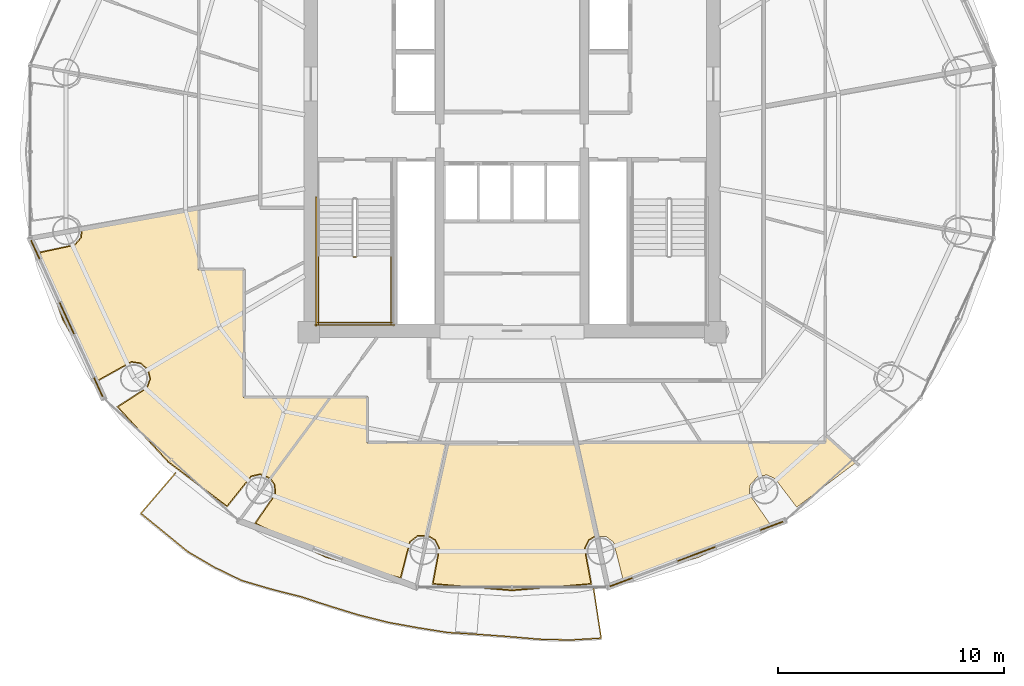
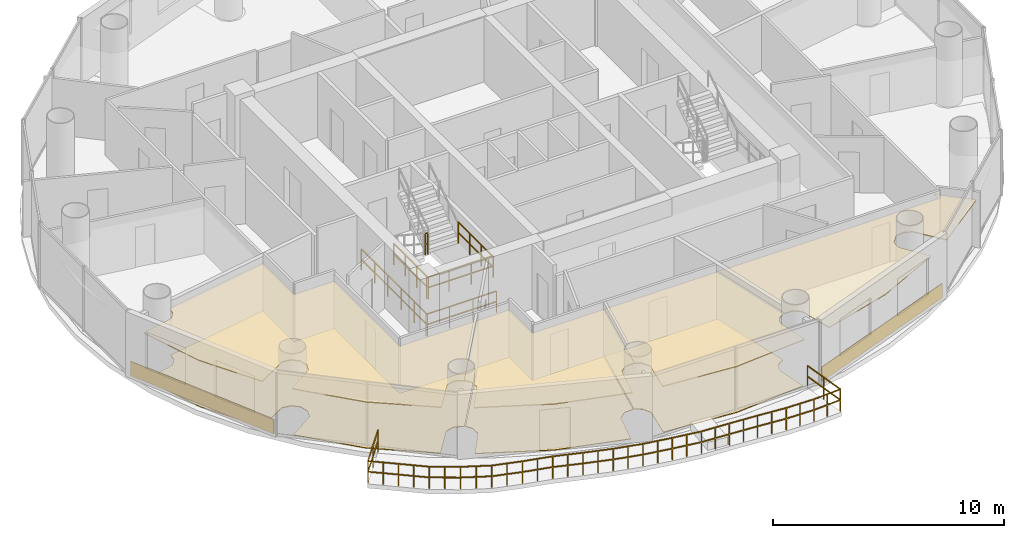
# One storey, part 24 of 27: 9 coverings, 7 railings.
"""IFC4 building model written with IfcOpenShell, lengths in metres."""

from ifc_helpers import new_model, si_unit, direction, frame, origin, origin_2d, place, context, subcontext, project, spatial, polyline, rectangle, outline, extrude, source, transform, mapped, material, layer, layer_set, type_object, element, save


model = new_model("IFC4")

# Units and contexts
model_context = context("Model", 3, precision=1e-05, world=origin(), true_north=direction((-0.2419218956, 0.970295726276)))
body_context = subcontext(model_context, "Body", "Model", "MODEL_VIEW")
ifc_project = project(units=[si_unit("LENGTHUNIT", "METRE"), si_unit("AREAUNIT", "SQUARE_METRE"), si_unit("VOLUMEUNIT", "CUBIC_METRE"), si_unit("PLANEANGLEUNIT", "RADIAN"), si_unit("MASSUNIT", "GRAM", prefix="KILO")], contexts=[model_context])

# Site, building, storey
site_placement = place(None, origin())
site = spatial("IfcSite", under=ifc_project, at=site_placement, CompositionType="ELEMENT")
building_placement = place(site_placement, origin())
building = spatial("IfcBuilding", under=site, at=building_placement, Name="Cobrevalo Terracotta Tower", CompositionType="ELEMENT")
storey_placement = place(building_placement, frame((0.0, 0.0, 194.89990234375)))
storey = spatial("IfcBuildingStorey", under=building, at=storey_placement, Name="L51", CompositionType="ELEMENT", Elevation=194.89990234375)

# Railing
ifc_material_1 = material(Name="Laminated structural glass and stainless steel", Category="steel")
railing_type_1 = type_object("IfcRailingType", Name="Balcony lobe structural glass & terracotta-cap balustrade 1180 mm", PredefinedType="BALUSTRADE", material=ifc_material_1)
railing_1_placement = place(storey_placement, frame((23.098876953125, 12.57666015625, 0.0)))
element("IfcRailing", 1, at=railing_1_placement, inside=storey, type_object=railing_type_1, Name="L51 spiralling balcony lobe balustrade 2", PredefinedType="BALUSTRADE", context=body_context, shape_type="SweptSolid", body=[
    extrude(rectangle(XDim=0.048095703125, YDim=0.048095703125, at=origin_2d()), frame((0.0, 0.0, 1.15576171875), z_axis=(-0.650342050538, -0.759641505779, 0.0), x_axis=(0.759641505779, -0.650342050538, 0.0)), (0.0, 0.0, 1.0), 2.3720703125),
    extrude(rectangle(XDim=0.048095703125, YDim=0.048095703125, at=origin_2d()), frame((0.0, 0.0, 0.58984375), z_axis=(-0.650342050538, -0.759641505779, 0.0), x_axis=(0.759641505779, -0.650342050538, 0.0)), (0.0, 0.0, 1.0), 2.3720703125),
    extrude(rectangle(XDim=0.048095703125, YDim=0.048095703125, at=origin_2d()), frame((-1.542724609375, -1.802001953125, 1.15576171875), z_axis=(0.775952208362, -0.630791701228, 0.0), x_axis=(0.630791701228, 0.775952208362, 0.0)), (0.0, 0.0, 1.0), 1.3388671875),
    extrude(rectangle(XDim=0.048095703125, YDim=0.048095703125, at=origin_2d()), frame((-1.542724609375, -1.802001953125, 0.58984375), z_axis=(0.775952208362, -0.630791701228, 0.0), x_axis=(0.630791701228, 0.775952208362, 0.0)), (0.0, 0.0, 1.0), 1.3388671875),
    extrude(rectangle(XDim=0.048095703125, YDim=0.048095703125, at=origin_2d()), frame((-0.50390625, -2.646484375, 1.15576171875), z_axis=(0.773690010625, -0.633564335691, 0.0), x_axis=(0.633564335691, 0.773690010625, 0.0)), (0.0, 0.0, 1.0), 1.34326171875),
    extrude(rectangle(XDim=0.048095703125, YDim=0.048095703125, at=origin_2d()), frame((-0.50390625, -2.646484375, 0.58984375), z_axis=(0.773690010625, -0.633564335691, 0.0), x_axis=(0.633564335691, 0.773690010625, 0.0)), (0.0, 0.0, 1.0), 1.34326171875),
    extrude(rectangle(XDim=0.048095703125, YDim=0.048095703125, at=origin_2d()), frame((0.535400390625, -3.49755859375, 1.15576171875), z_axis=(0.862836203686, -0.505483615568, 0.0), x_axis=(0.505483615568, 0.862836203686, 0.0)), (0.0, 0.0, 1.0), 1.354736328125),
    extrude(rectangle(XDim=0.048095703125, YDim=0.048095703125, at=origin_2d()), frame((0.535400390625, -3.49755859375, 0.58984375), z_axis=(0.862836203686, -0.505483615568, 0.0), x_axis=(0.505483615568, 0.862836203686, 0.0)), (0.0, 0.0, 1.0), 1.354736328125),
    extrude(rectangle(XDim=0.048095703125, YDim=0.048095703125, at=origin_2d()), frame((1.704345703125, -4.182373046875, 1.15576171875), z_axis=(0.899573106106, -0.436770221936, 0.0), x_axis=(0.436770221936, 0.899573106106, 0.0)), (0.0, 0.0, 1.0), 1.3505859375),
    extrude(rectangle(XDim=0.048095703125, YDim=0.048095703125, at=origin_2d()), frame((1.704345703125, -4.182373046875, 0.58984375), z_axis=(0.899573106106, -0.436770221936, 0.0), x_axis=(0.436770221936, 0.899573106106, 0.0)), (0.0, 0.0, 1.0), 1.3505859375),
    extrude(rectangle(XDim=0.048095703125, YDim=0.048095703125, at=origin_2d()), frame((2.919189453125, -4.772216796875, 1.15576171875), z_axis=(0.959308748225, -0.28235921373, 0.0), x_axis=(0.28235921373, 0.959308748225, 0.0)), (0.0, 0.0, 1.0), 1.370361328125),
    extrude(rectangle(XDim=0.048095703125, YDim=0.048095703125, at=origin_2d()), frame((2.919189453125, -4.772216796875, 0.58984375), z_axis=(0.959308748225, -0.28235921373, 0.0), x_axis=(0.28235921373, 0.959308748225, 0.0)), (0.0, 0.0, 1.0), 1.370361328125),
    extrude(rectangle(XDim=0.048095703125, YDim=0.048095703125, at=origin_2d()), frame((4.23388671875, -5.1591796875, 1.15576171875), z_axis=(0.969696063627, -0.244314437122, 0.0), x_axis=(0.244314437122, 0.969696063627, 0.0)), (0.0, 0.0, 1.0), 1.35595703125),
    extrude(rectangle(XDim=0.048095703125, YDim=0.048095703125, at=origin_2d()), frame((4.23388671875, -5.1591796875, 0.58984375), z_axis=(0.969696063627, -0.244314437122, 0.0), x_axis=(0.244314437122, 0.969696063627, 0.0)), (0.0, 0.0, 1.0), 1.35595703125),
    extrude(rectangle(XDim=0.048095703125, YDim=0.048095703125, at=origin_2d()), frame((5.548828125, -5.490478515625, 1.15576171875), z_axis=(0.949952867938, -0.312393259683, 0.0), x_axis=(0.312393259683, 0.949952867938, 0.0)), (0.0, 0.0, 1.0), 1.337890625),
    extrude(rectangle(XDim=0.048095703125, YDim=0.048095703125, at=origin_2d()), frame((5.548828125, -5.490478515625, 0.58984375), z_axis=(0.949952867938, -0.312393259683, 0.0), x_axis=(0.312393259683, 0.949952867938, 0.0)), (0.0, 0.0, 1.0), 1.337890625),
    extrude(rectangle(XDim=0.048095703125, YDim=0.048095703125, at=origin_2d()), frame((6.81982421875, -5.908447265625, 1.15576171875), z_axis=(0.956152115654, -0.292870503348, 0.0), x_axis=(0.292870503348, 0.956152115654, 0.0)), (0.0, 0.0, 1.0), 1.34130859375),
    extrude(rectangle(XDim=0.048095703125, YDim=0.048095703125, at=origin_2d()), frame((6.81982421875, -5.908447265625, 0.58984375), z_axis=(0.956152115654, -0.292870503348, 0.0), x_axis=(0.292870503348, 0.956152115654, 0.0)), (0.0, 0.0, 1.0), 1.34130859375),
    extrude(rectangle(XDim=0.048095703125, YDim=0.048095703125, at=origin_2d()), frame((8.102294921875, -6.30126953125, 1.15576171875), z_axis=(0.969777514189, -0.243990928054, 0.0), x_axis=(0.243990928054, 0.969777514189, 0.0)), (0.0, 0.0, 1.0), 1.341796875),
    extrude(rectangle(XDim=0.048095703125, YDim=0.048095703125, at=origin_2d()), frame((8.102294921875, -6.30126953125, 0.58984375), z_axis=(0.969777514189, -0.243990928054, 0.0), x_axis=(0.243990928054, 0.969777514189, 0.0)), (0.0, 0.0, 1.0), 1.341796875),
    extrude(rectangle(XDim=0.048095703125, YDim=0.048095703125, at=origin_2d()), frame((9.403564453125, -6.628662109375, 1.15576171875), z_axis=(0.98411819982, -0.177514418521, 0.0), x_axis=(0.177514418521, 0.98411819982, 0.0)), (0.0, 0.0, 1.0), 1.347900390625),
    extrude(rectangle(XDim=0.048095703125, YDim=0.048095703125, at=origin_2d()), frame((9.403564453125, -6.628662109375, 0.58984375), z_axis=(0.98411819982, -0.177514418521, 0.0), x_axis=(0.177514418521, 0.98411819982, 0.0)), (0.0, 0.0, 1.0), 1.347900390625),
    extrude(rectangle(XDim=0.048095703125, YDim=0.048095703125, at=origin_2d()), frame((10.72998046875, -6.867919921875, 1.15576171875), z_axis=(0.987605220831, -0.15695836323, 0.0), x_axis=(0.15695836323, 0.987605220831, 0.0)), (0.0, 0.0, 1.0), 1.346923828125),
    extrude(rectangle(XDim=0.048095703125, YDim=0.048095703125, at=origin_2d()), frame((10.72998046875, -6.867919921875, 0.58984375), z_axis=(0.987605220831, -0.15695836323, 0.0), x_axis=(0.15695836323, 0.987605220831, 0.0)), (0.0, 0.0, 1.0), 1.346923828125),
    extrude(rectangle(XDim=0.048095703125, YDim=0.048095703125, at=origin_2d()), frame((12.060302734375, -7.079345703125, 1.15576171875), z_axis=(0.998155247212, -0.060713280786, 0.0), x_axis=(0.060713280786, 0.998155247212, 0.0)), (0.0, 0.0, 1.0), 1.35107421875),
    extrude(rectangle(XDim=0.048095703125, YDim=0.048095703125, at=origin_2d()), frame((12.060302734375, -7.079345703125, 0.58984375), z_axis=(0.998155247212, -0.060713280786, 0.0), x_axis=(0.060713280786, 0.998155247212, 0.0)), (0.0, 0.0, 1.0), 1.35107421875),
    extrude(rectangle(XDim=0.048095703125, YDim=0.048095703125, at=origin_2d()), frame((13.408935546875, -7.161376953125, 1.15576171875), z_axis=(0.997362491069, -0.072581412276, 0.0), x_axis=(0.072581412276, 0.997362491069, 0.0)), (0.0, 0.0, 1.0), 1.352294921875),
    extrude(rectangle(XDim=0.048095703125, YDim=0.048095703125, at=origin_2d()), frame((13.408935546875, -7.161376953125, 0.58984375), z_axis=(0.997362491069, -0.072581412276, 0.0), x_axis=(0.072581412276, 0.997362491069, 0.0)), (0.0, 0.0, 1.0), 1.352294921875),
    extrude(rectangle(XDim=0.048095703125, YDim=0.048095703125, at=origin_2d()), frame((14.757568359375, -7.259521484375, 1.15576171875), z_axis=(0.99622107588, -0.086853715945, 0.0), x_axis=(0.086853715945, 0.99622107588, 0.0)), (0.0, 0.0, 1.0), 1.36328125),
    extrude(rectangle(XDim=0.048095703125, YDim=0.048095703125, at=origin_2d()), frame((14.757568359375, -7.259521484375, 0.58984375), z_axis=(0.99622107588, -0.086853715945, 0.0), x_axis=(0.086853715945, 0.99622107588, 0.0)), (0.0, 0.0, 1.0), 1.36328125),
    extrude(rectangle(XDim=0.048095703125, YDim=0.048095703125, at=origin_2d()), frame((16.11572265625, -7.3779296875, 1.15576171875), z_axis=(0.999710995621, -0.024040075598, 0.0), x_axis=(0.024040075598, 0.999710995621, 0.0)), (0.0, 0.0, 1.0), 1.37109375),
    extrude(rectangle(XDim=0.048095703125, YDim=0.048095703125, at=origin_2d()), frame((16.11572265625, -7.3779296875, 0.58984375), z_axis=(0.999710995621, -0.024040075598, 0.0), x_axis=(0.024040075598, 0.999710995621, 0.0)), (0.0, 0.0, 1.0), 1.37109375),
    extrude(rectangle(XDim=0.048095703125, YDim=0.048095703125, at=origin_2d()), frame((17.486328125, -7.410888671875, 1.15576171875), z_axis=(0.998234788535, 0.059391135355, 0.0), x_axis=(-0.059391135355, 0.998234788535, 0.0)), (0.0, 0.0, 1.0), 1.368896484375),
    extrude(rectangle(XDim=0.048095703125, YDim=0.048095703125, at=origin_2d()), frame((17.486328125, -7.410888671875, 0.58984375), z_axis=(0.998234788535, 0.059391135355, 0.0), x_axis=(-0.059391135355, 0.998234788535, 0.0)), (0.0, 0.0, 1.0), 1.368896484375),
    extrude(rectangle(XDim=0.048095703125, YDim=0.048095703125, at=origin_2d()), frame((18.852783203125, -7.32958984375, 1.15576171875), z_axis=(-0.151025398742, 0.988529882672, 0.0), x_axis=(-0.988529882672, -0.151025398742, 0.0)), (0.0, 0.0, 1.0), 2.276123046875),
    extrude(rectangle(XDim=0.048095703125, YDim=0.048095703125, at=origin_2d()), frame((18.852783203125, -7.32958984375, 0.58984375), z_axis=(-0.151025398742, 0.988529882672, 0.0), x_axis=(-0.988529882672, -0.151025398742, 0.0)), (0.0, 0.0, 1.0), 2.276123046875),
    extrude(rectangle(XDim=0.0419921875, YDim=0.0419921875, at=origin_2d()), origin(), (0.0, 0.0, 1.0), 1.1318359375),
    extrude(rectangle(XDim=0.0419921875, YDim=0.0419921875, at=origin_2d()), frame((-0.771484375, -0.90087890625, 0.0)), (0.0, 0.0, 1.0), 1.1318359375),
    extrude(rectangle(XDim=0.0419921875, YDim=0.0419921875, at=origin_2d()), frame((-1.542724609375, -1.802001953125, 0.0)), (0.0, 0.0, 1.0), 1.1318359375),
    extrude(rectangle(XDim=0.0419921875, YDim=0.0419921875, at=origin_2d()), frame((-1.0234375, -2.22412109375, 0.0)), (0.0, 0.0, 1.0), 1.1318359375),
    extrude(rectangle(XDim=0.0419921875, YDim=0.0419921875, at=origin_2d()), frame((-0.50390625, -2.646484375, 0.0)), (0.0, 0.0, 1.0), 1.1318359375),
    extrude(rectangle(XDim=0.0419921875, YDim=0.0419921875, at=origin_2d()), frame((0.015625, -3.072021484375, 0.0)), (0.0, 0.0, 1.0), 1.1318359375),
    extrude(rectangle(XDim=0.0419921875, YDim=0.0419921875, at=origin_2d()), frame((0.535400390625, -3.49755859375, 0.0)), (0.0, 0.0, 1.0), 1.1318359375),
    extrude(rectangle(XDim=0.0419921875, YDim=0.0419921875, at=origin_2d()), frame((1.119873046875, -3.83984375, 0.0)), (0.0, 0.0, 1.0), 1.1318359375),
    extrude(rectangle(XDim=0.0419921875, YDim=0.0419921875, at=origin_2d()), frame((1.704345703125, -4.182373046875, 0.0)), (0.0, 0.0, 1.0), 1.1318359375),
    extrude(rectangle(XDim=0.0419921875, YDim=0.0419921875, at=origin_2d()), frame((2.311767578125, -4.477294921875, 0.0)), (0.0, 0.0, 1.0), 1.1318359375),
    extrude(rectangle(XDim=0.0419921875, YDim=0.0419921875, at=origin_2d()), frame((2.919189453125, -4.772216796875, 0.0)), (0.0, 0.0, 1.0), 1.1318359375),
    extrude(rectangle(XDim=0.0419921875, YDim=0.0419921875, at=origin_2d()), frame((3.57666015625, -4.9658203125, 0.0)), (0.0, 0.0, 1.0), 1.1318359375),
    extrude(rectangle(XDim=0.0419921875, YDim=0.0419921875, at=origin_2d()), frame((4.23388671875, -5.1591796875, 0.0)), (0.0, 0.0, 1.0), 1.1318359375),
    extrude(rectangle(XDim=0.0419921875, YDim=0.0419921875, at=origin_2d()), frame((4.891357421875, -5.32470703125, 0.0)), (0.0, 0.0, 1.0), 1.1318359375),
    extrude(rectangle(XDim=0.0419921875, YDim=0.0419921875, at=origin_2d()), frame((5.548828125, -5.490478515625, 0.0)), (0.0, 0.0, 1.0), 1.1318359375),
    extrude(rectangle(XDim=0.0419921875, YDim=0.0419921875, at=origin_2d()), frame((6.184326171875, -5.699462890625, 0.0)), (0.0, 0.0, 1.0), 1.1318359375),
    extrude(rectangle(XDim=0.0419921875, YDim=0.0419921875, at=origin_2d()), frame((6.81982421875, -5.908447265625, 0.0)), (0.0, 0.0, 1.0), 1.1318359375),
    extrude(rectangle(XDim=0.0419921875, YDim=0.0419921875, at=origin_2d()), frame((7.4609375, -6.10498046875, 0.0)), (0.0, 0.0, 1.0), 1.1318359375),
    extrude(rectangle(XDim=0.0419921875, YDim=0.0419921875, at=origin_2d()), frame((8.102294921875, -6.30126953125, 0.0)), (0.0, 0.0, 1.0), 1.1318359375),
    extrude(rectangle(XDim=0.0419921875, YDim=0.0419921875, at=origin_2d()), frame((8.7529296875, -6.46484375, 0.0)), (0.0, 0.0, 1.0), 1.1318359375),
    extrude(rectangle(XDim=0.0419921875, YDim=0.0419921875, at=origin_2d()), frame((9.403564453125, -6.628662109375, 0.0)), (0.0, 0.0, 1.0), 1.1318359375),
    extrude(rectangle(XDim=0.0419921875, YDim=0.0419921875, at=origin_2d()), frame((10.06689453125, -6.748291015625, 0.0)), (0.0, 0.0, 1.0), 1.1318359375),
    extrude(rectangle(XDim=0.0419921875, YDim=0.0419921875, at=origin_2d()), frame((10.72998046875, -6.867919921875, 0.0)), (0.0, 0.0, 1.0), 1.1318359375),
    extrude(rectangle(XDim=0.0419921875, YDim=0.0419921875, at=origin_2d()), frame((11.39501953125, -6.9736328125, 0.0)), (0.0, 0.0, 1.0), 1.1318359375),
    extrude(rectangle(XDim=0.0419921875, YDim=0.0419921875, at=origin_2d()), frame((12.060302734375, -7.079345703125, 0.0)), (0.0, 0.0, 1.0), 1.1318359375),
    extrude(rectangle(XDim=0.0419921875, YDim=0.0419921875, at=origin_2d()), frame((12.734619140625, -7.120361328125, 0.0)), (0.0, 0.0, 1.0), 1.1318359375),
    extrude(rectangle(XDim=0.0419921875, YDim=0.0419921875, at=origin_2d()), frame((13.408935546875, -7.161376953125, 0.0)), (0.0, 0.0, 1.0), 1.1318359375),
    extrude(rectangle(XDim=0.0419921875, YDim=0.0419921875, at=origin_2d()), frame((14.083251953125, -7.21044921875, 0.0)), (0.0, 0.0, 1.0), 1.1318359375),
    extrude(rectangle(XDim=0.0419921875, YDim=0.0419921875, at=origin_2d()), frame((14.757568359375, -7.259521484375, 0.0)), (0.0, 0.0, 1.0), 1.1318359375),
    extrude(rectangle(XDim=0.0419921875, YDim=0.0419921875, at=origin_2d()), frame((15.4365234375, -7.31884765625, 0.0)), (0.0, 0.0, 1.0), 1.1318359375),
    extrude(rectangle(XDim=0.0419921875, YDim=0.0419921875, at=origin_2d()), frame((16.11572265625, -7.3779296875, 0.0)), (0.0, 0.0, 1.0), 1.1318359375),
    extrude(rectangle(XDim=0.0419921875, YDim=0.0419921875, at=origin_2d()), frame((16.801025390625, -7.39453125, 0.0)), (0.0, 0.0, 1.0), 1.1318359375),
    extrude(rectangle(XDim=0.0419921875, YDim=0.0419921875, at=origin_2d()), frame((17.486328125, -7.410888671875, 0.0)), (0.0, 0.0, 1.0), 1.1318359375),
    extrude(rectangle(XDim=0.0419921875, YDim=0.0419921875, at=origin_2d()), frame((18.16943359375, -7.3701171875, 0.0)), (0.0, 0.0, 1.0), 1.1318359375),
    extrude(rectangle(XDim=0.0419921875, YDim=0.0419921875, at=origin_2d()), frame((18.852783203125, -7.32958984375, 0.0)), (0.0, 0.0, 1.0), 1.1318359375),
    extrude(rectangle(XDim=0.0419921875, YDim=0.0419921875, at=origin_2d()), frame((18.680908203125, -6.20458984375, 0.0)), (0.0, 0.0, 1.0), 1.1318359375),
    extrude(rectangle(XDim=0.0419921875, YDim=0.0419921875, at=origin_2d()), frame((18.509033203125, -5.07958984375, 0.0)), (0.0, 0.0, 1.0), 1.1318359375),
])

# Coverings
ifc_material_2 = material(Name="Engineered Brazilian hardwood flooring", Category="wood")
ifc_layer_1 = layer(ifc_material_2, 0.028076171875)
ifc_layer_set_1 = layer_set([ifc_layer_1], Name="Engineered Brazilian hardwood flooring")
covering_type_1 = type_object("IfcCoveringType", Name="Engineered Hardwood Suite Flooring 28", PredefinedType="FLOORING", material=ifc_layer_set_1)
covering_1_placement = place(storey_placement, origin())
element("IfcCovering", 2, at=covering_1_placement, inside=storey, type_object=covering_type_1, Name="Flat L51C Living and Dining Room floor finish", PredefinedType="FLOORING", context=body_context, shape_type="SweptSolid", body=[
    extrude(outline(polyline([(22.782470703125, 13.068603515625), (20.546875, 15.4912109375), (21.840087890625, 16.330810546875), (21.985107421875, 16.735107421875), (21.880859375, 17.152099609375), (21.562744140625, 17.44091796875), (21.1376953125, 17.504150390625), (19.662109375, 16.6865234375), (18.117919921875, 19.368896484375), (17.09228515625, 22.322998046875), (18.635986328125, 22.655029296875), (18.9150390625, 22.981689453125), (18.9697265625, 23.35888671875), (24.094970703125, 24.2802734375), (24.094970703125, 21.570068359375), (26.10498046875, 21.570068359375), (26.10498046875, 15.905029296875), (29.919189453125, 15.905029296875), (27.2890625, 12.34765625), (26.843505859375, 12.531005859375), (26.426513671875, 12.427734375), (25.3720703125, 11.108154296875), (22.782470703125, 13.068603515625)])), origin(), (0.0, 0.0, 1.0), 0.030029296875),
])
covering_2_placement = place(storey_placement, origin())
element("IfcCovering", 3, at=covering_2_placement, inside=storey, type_object=covering_type_1, Name="Flat L51C Master Bedroom floor finish", PredefinedType="FLOORING", context=body_context, shape_type="SweptSolid", body=[
    extrude(outline(polyline([(29.763916015625, 8.858642578125), (26.6455078125, 10.34033203125), (27.522705078125, 11.610107421875), (27.502685546875, 12.039306640625), (27.318603515625, 12.320556640625), (29.968994140625, 15.905029296875), (31.570068359375, 15.905029296875), (31.570068359375, 13.89501953125), (35.138916015625, 13.89501953125), (34.240234375, 9.812255859375), (33.801025390625, 9.78662109375), (33.462890625, 9.521484375), (33.0517578125, 7.93017578125), (29.763916015625, 8.858642578125)])), origin(), (0.0, 0.0, 1.0), 0.030029296875),
])
covering_3_placement = place(storey_placement, origin())
element("IfcCovering", 4, at=covering_3_placement, inside=storey, type_object=covering_type_1, Name="Flat L51C Penthouse Family Lounge floor finish", PredefinedType="FLOORING", context=body_context, shape_type="SweptSolid", body=[
    extrude(outline(polyline([(34.509765625, 7.66845703125), (34.7978515625, 9.22509765625), (34.603759765625, 9.6083984375), (34.279052734375, 9.802978515625), (35.179931640625, 13.89501953125), (40.820068359375, 13.89501953125), (41.720947265625, 9.802978515625), (41.396240234375, 9.6083984375), (41.2021484375, 9.22509765625), (41.490234375, 7.66845703125), (38.0, 7.380126953125), (34.509765625, 7.66845703125)])), origin(), (0.0, 0.0, 1.0), 0.030029296875),
])
ifc_material_3 = material(Name="Acoustic perforated gypsum ceiling", Category="gypsum")
ifc_layer_2 = layer(ifc_material_3, 0.050048828125)
ifc_layer_set_2 = layer_set([ifc_layer_2], Name="Acoustic perforated gypsum ceiling")
covering_type_2 = type_object("IfcCoveringType", Name="Perforated Acoustic Gypsum Ceiling 50", PredefinedType="CEILING", material=ifc_layer_set_2)
covering_4_placement = place(storey_placement, frame((0.0, 0.0, 2.445068359375)))
element("IfcCovering", 5, at=covering_4_placement, inside=storey, type_object=covering_type_2, Name="Flat L51C Living and Dining Room acoustic ceiling", PredefinedType="CEILING", context=body_context, shape_type="SweptSolid", body=[
    extrude(outline(polyline([(22.752197265625, 13.03515625), (20.481201171875, 15.50439453125), (21.8037109375, 16.357666015625), (21.93994140625, 16.737548828125), (21.842041015625, 17.12890625), (21.54345703125, 17.39990234375), (21.144287109375, 17.45947265625), (19.650146484375, 16.626953125), (18.076904296875, 19.35009765625), (17.038330078125, 22.359130859375), (18.611572265625, 22.693359375), (18.873779296875, 23.0), (18.921630859375, 23.39599609375), (24.139892578125, 24.333984375), (24.139892578125, 21.614990234375), (26.14990234375, 21.614990234375), (26.14990234375, 15.949951171875), (30.008544921875, 15.949951171875), (27.29541015625, 12.28076171875), (26.84130859375, 12.48583984375), (26.44970703125, 12.388916015625), (25.3837890625, 11.048583984375), (22.752197265625, 13.03515625)])), origin(), (0.0, 0.0, 1.0), 0.050048828125),
])
covering_5_placement = place(storey_placement, frame((0.0, 0.0, 2.445068359375)))
element("IfcCovering", 6, at=covering_5_placement, inside=storey, type_object=covering_type_2, Name="Flat L51C Master Bedroom acoustic ceiling", PredefinedType="CEILING", context=body_context, shape_type="SweptSolid", body=[
    extrude(outline(polyline([(29.748291015625, 8.81640625), (26.579833984375, 10.327392578125), (27.478759765625, 11.621337890625), (27.460205078125, 12.024169921875), (27.25830078125, 12.314697265625), (29.9462890625, 15.949951171875), (31.614990234375, 15.949951171875), (31.614990234375, 13.93994140625), (35.19482421875, 13.93994140625), (34.275146484375, 9.76123046875), (33.8173828125, 9.74462890625), (33.499755859375, 9.49560546875), (33.08642578125, 7.878173828125), (29.748291015625, 8.81640625)])), origin(), (0.0, 0.0, 1.0), 0.050048828125),
])
covering_6_placement = place(storey_placement, frame((0.0, 0.0, 2.445068359375)))
element("IfcCovering", 7, at=covering_6_placement, inside=storey, type_object=covering_type_2, Name="Flat L51C Penthouse Family Lounge acoustic ceiling", PredefinedType="CEILING", context=body_context, shape_type="SweptSolid", body=[
    extrude(outline(polyline([(34.455810546875, 7.632568359375), (34.753173828125, 9.21728515625), (34.571044921875, 9.5771484375), (34.2265625, 9.77294921875), (35.143798828125, 13.93994140625), (40.856201171875, 13.93994140625), (41.7734375, 9.77294921875), (41.428955078125, 9.5771484375), (41.246826171875, 9.21728515625), (41.544189453125, 7.632568359375), (38.0, 7.3349609375), (34.455810546875, 7.632568359375)])), origin(), (0.0, 0.0, 1.0), 0.050048828125),
])
covering_7_placement = place(storey_placement, frame((0.0, 0.0, 2.445068359375)))
element("IfcCovering", 8, at=covering_7_placement, inside=storey, type_object=covering_type_2, Name="Flat L51D Living and Dining Room acoustic ceiling", PredefinedType="CEILING", context=body_context, shape_type="SweptSolid", body=[
    extrude(outline(polyline([(50.6162109375, 11.048583984375), (49.659912109375, 12.30810546875), (49.294921875, 12.4794921875), (48.89599609375, 12.41943359375), (48.539794921875, 12.024169921875), (48.521240234375, 11.621337890625), (49.420166015625, 10.327392578125), (46.251708984375, 8.81640625), (42.91357421875, 7.878173828125), (42.500244140625, 9.49560546875), (42.1826171875, 9.74462890625), (41.724853515625, 9.76123046875), (40.80517578125, 13.93994140625), (51.860107421875, 13.93994140625), (51.860107421875, 14.308837890625), (53.25927734375, 13.044189453125), (50.6162109375, 11.048583984375)])), origin(), (0.0, 0.0, 1.0), 0.050048828125),
])

# Railings
ifc_material_4 = material(Name="Painted galvanized steel", Category="steel")
railing_type_2 = type_object("IfcRailingType", Name="Stair Well Guard Balustrade 1150", PredefinedType="GUARDRAIL", material=ifc_material_4)
railing_2_placement = place(storey_placement, frame((30.97509765625, 22.1298828125, 1.85009765625)))
element("IfcRailing", 9, at=railing_2_placement, inside=storey, type_object=railing_type_2, Name="L51 ST-1 stair guard 2", PredefinedType="GUARDRAIL", context=body_context, shape_type="SweptSolid", body=[
    extrude(rectangle(XDim=0.048095703125, YDim=0.048095703125, at=origin_2d()), frame((0.0, 0.0, 1.1259765625), z_axis=(1.0, 0.0, 0.0), x_axis=(0.0, 1.0, 0.0)), (0.0, 0.0, 1.0), 0.119873046875),
    extrude(rectangle(XDim=0.048095703125, YDim=0.048095703125, at=origin_2d()), frame((0.0, 0.0, 0.574951171875), z_axis=(1.0, 0.0, 0.0), x_axis=(0.0, 1.0, 0.0)), (0.0, 0.0, 1.0), 0.119873046875),
    extrude(rectangle(XDim=0.0419921875, YDim=0.0419921875, at=origin_2d()), origin(), (0.0, 0.0, 1.0), 1.101806640625),
    extrude(rectangle(XDim=0.0419921875, YDim=0.0419921875, at=origin_2d()), frame((0.119873046875, 0.0, 0.0)), (0.0, 0.0, 1.0), 1.101806640625),
])
for number, where, name in (
    (10, (29.425048828125, 22.179931640625, 1.85009765625), "L51 ST-1 stair guard 3"),
    (11, (32.64501953125, 22.179931640625, 1.85009765625), "L51 ST-1 stair guard 4"),
):
    element("IfcRailing", number, at=place(storey_placement, frame(where)), inside=storey, type_object=railing_type_2, Name=name, PredefinedType="GUARDRAIL", context=body_context, shape_type="SweptSolid", body=[
        extrude(rectangle(XDim=0.048095703125, YDim=0.048095703125, at=origin_2d()), frame((0.0, 0.0, 1.1259765625), z_axis=(0.0, -1.0, 0.0), x_axis=(1.0, 0.0, 0.0)), (0.0, 0.0, 1.0), 3.0048828125),
        extrude(rectangle(XDim=0.048095703125, YDim=0.048095703125, at=origin_2d()), frame((0.0, 0.0, 0.574951171875), z_axis=(0.0, -1.0, 0.0), x_axis=(1.0, 0.0, 0.0)), (0.0, 0.0, 1.0), 3.0048828125),
        extrude(rectangle(XDim=0.0419921875, YDim=0.0419921875, at=origin_2d()), origin(), (0.0, 0.0, 1.0), 1.101806640625),
        extrude(rectangle(XDim=0.0419921875, YDim=0.0419921875, at=origin_2d()), frame((0.0, -1.001708984375, 0.0)), (0.0, 0.0, 1.0), 1.101806640625),
        extrude(rectangle(XDim=0.0419921875, YDim=0.0419921875, at=origin_2d()), frame((0.0, -2.003173828125, 0.0)), (0.0, 0.0, 1.0), 1.101806640625),
        extrude(rectangle(XDim=0.0419921875, YDim=0.0419921875, at=origin_2d()), frame((0.0, -3.0048828125, 0.0)), (0.0, 0.0, 1.0), 1.101806640625),
    ])
railing_3_placement = place(storey_placement, frame((29.375, 19.22509765625, 1.85009765625)))
element("IfcRailing", 12, at=railing_3_placement, inside=storey, type_object=railing_type_2, Name="L51 ST-1 stair guard 5", PredefinedType="GUARDRAIL", context=body_context, shape_type="SweptSolid", body=[
    extrude(rectangle(XDim=0.048095703125, YDim=0.048095703125, at=origin_2d()), frame((0.0, 0.0, 1.1259765625), z_axis=(1.0, 0.0, 0.0), x_axis=(0.0, 1.0, 0.0)), (0.0, 0.0, 1.0), 3.320068359375),
    extrude(rectangle(XDim=0.048095703125, YDim=0.048095703125, at=origin_2d()), frame((0.0, 0.0, 0.574951171875), z_axis=(1.0, 0.0, 0.0), x_axis=(0.0, 1.0, 0.0)), (0.0, 0.0, 1.0), 3.320068359375),
    extrude(rectangle(XDim=0.0419921875, YDim=0.0419921875, at=origin_2d()), origin(), (0.0, 0.0, 1.0), 1.101806640625),
    extrude(rectangle(XDim=0.0419921875, YDim=0.0419921875, at=origin_2d()), frame((1.106689453125, 0.0, 0.0)), (0.0, 0.0, 1.0), 1.101806640625),
    extrude(rectangle(XDim=0.0419921875, YDim=0.0419921875, at=origin_2d()), frame((2.21337890625, 0.0, 0.0)), (0.0, 0.0, 1.0), 1.101806640625),
    extrude(rectangle(XDim=0.0419921875, YDim=0.0419921875, at=origin_2d()), frame((3.320068359375, 0.0, 0.0)), (0.0, 0.0, 1.0), 1.101806640625),
])
railing_4_placement = place(storey_placement, frame((29.324951171875, 24.800048828125, 0.0)))
element("IfcRailing", 13, at=railing_4_placement, inside=storey, type_object=railing_type_2, Name="L51 ST-1 stair guard 10", PredefinedType="GUARDRAIL", context=body_context, shape_type="SweptSolid", body=[
    extrude(rectangle(XDim=0.048095703125, YDim=0.048095703125, at=origin_2d()), frame((0.0, 0.0, 1.1259765625), z_axis=(0.0, -1.0, 0.0), x_axis=(1.0, 0.0, 0.0)), (0.0, 0.0, 1.0), 5.72509765625),
    extrude(rectangle(XDim=0.048095703125, YDim=0.048095703125, at=origin_2d()), frame((0.0, 0.0, 0.574951171875), z_axis=(0.0, -1.0, 0.0), x_axis=(1.0, 0.0, 0.0)), (0.0, 0.0, 1.0), 5.72509765625),
    extrude(rectangle(XDim=0.0419921875, YDim=0.0419921875, at=origin_2d()), origin(), (0.0, 0.0, 1.0), 1.101806640625),
    extrude(rectangle(XDim=0.0419921875, YDim=0.0419921875, at=origin_2d()), frame((0.0, -1.14501953125, 0.0)), (0.0, 0.0, 1.0), 1.101806640625),
    extrude(rectangle(XDim=0.0419921875, YDim=0.0419921875, at=origin_2d()), frame((0.0, -2.2900390625, 0.0)), (0.0, 0.0, 1.0), 1.101806640625),
    extrude(rectangle(XDim=0.0419921875, YDim=0.0419921875, at=origin_2d()), frame((0.0, -3.43505859375, 0.0)), (0.0, 0.0, 1.0), 1.101806640625),
    extrude(rectangle(XDim=0.0419921875, YDim=0.0419921875, at=origin_2d()), frame((0.0, -4.580078125, 0.0)), (0.0, 0.0, 1.0), 1.101806640625),
    extrude(rectangle(XDim=0.0419921875, YDim=0.0419921875, at=origin_2d()), frame((0.0, -5.72509765625, 0.0)), (0.0, 0.0, 1.0), 1.101806640625),
])
railing_5_placement = place(storey_placement, frame((29.27490234375, 19.125, 0.0)))
element("IfcRailing", 14, at=railing_5_placement, inside=storey, type_object=railing_type_2, Name="L51 ST-1 stair guard 12", PredefinedType="GUARDRAIL", context=body_context, shape_type="SweptSolid", body=[
    extrude(rectangle(XDim=0.048095703125, YDim=0.048095703125, at=origin_2d()), frame((0.0, 0.0, 1.1259765625), z_axis=(1.0, 0.0, 0.0), x_axis=(0.0, 1.0, 0.0)), (0.0, 0.0, 1.0), 3.52001953125),
    extrude(rectangle(XDim=0.048095703125, YDim=0.048095703125, at=origin_2d()), frame((0.0, 0.0, 0.574951171875), z_axis=(1.0, 0.0, 0.0), x_axis=(0.0, 1.0, 0.0)), (0.0, 0.0, 1.0), 3.52001953125),
    extrude(rectangle(XDim=0.0419921875, YDim=0.0419921875, at=origin_2d()), origin(), (0.0, 0.0, 1.0), 1.101806640625),
    extrude(rectangle(XDim=0.0419921875, YDim=0.0419921875, at=origin_2d()), frame((1.17333984375, 0.0, 0.0)), (0.0, 0.0, 1.0), 1.101806640625),
    extrude(rectangle(XDim=0.0419921875, YDim=0.0419921875, at=origin_2d()), frame((2.3466796875, 0.0, 0.0)), (0.0, 0.0, 1.0), 1.101806640625),
    extrude(rectangle(XDim=0.0419921875, YDim=0.0419921875, at=origin_2d()), frame((3.52001953125, 0.0, 0.0)), (0.0, 0.0, 1.0), 1.101806640625),
])

# Coverings
ifc_material_5 = material(Name="Glazed terracotta facade cladding tile", Category="masonry")
ifc_layer_3 = layer(ifc_material_5, 0.044921875)
ifc_layer_set_3 = layer_set([ifc_layer_3], Name="Glazed terracotta facade cladding tile")
covering_type_3 = type_object("IfcCoveringType", Name="Architectural terracotta rainscreen spandrel cladding 45 mm", PredefinedType="CLADDING", material=ifc_layer_set_3)
shared_shape_1 = source(origin(), body_context, "Body", "SweptSolid", [
    extrude(rectangle(XDim=7.60009765625, YDim=0.044921875, at=origin_2d()), origin(), (0.0, 0.0, 1.0), 0.760009765625),
])
covering_8_placement = place(storey_placement, frame((18.273681640625, 19.417236328125, 0.0400390625), z_axis=(0.0, 0.0, 1.0), x_axis=(0.416731425355, -0.909029657999, 0.0)))
element("IfcCovering", 15, at=covering_8_placement, inside=storey, type_object=covering_type_3, Name="L51 terracotta spandrel cladding S09", PredefinedType="CLADDING", context=body_context, shape_type="MappedRepresentation", body=[
    mapped(shared_shape_1, transform((0.0, 0.0, 0.0), scale=1.0)),
])
shared_shape_2 = source(origin(), body_context, "Body", "SweptSolid", [
    extrude(rectangle(XDim=8.17919921875, YDim=0.044921875, at=origin_2d()), origin(), (0.0, 0.0, 1.0), 0.760009765625),
])
covering_9_placement = place(storey_placement, frame((46.1708984375, 8.9765625, 0.0400390625), z_axis=(0.0, 0.0, 1.0), x_axis=(0.936557839879, 0.350513070458, 0.0)))
element("IfcCovering", 16, at=covering_9_placement, inside=storey, type_object=covering_type_3, Name="L51 terracotta spandrel cladding S13", PredefinedType="CLADDING", context=body_context, shape_type="MappedRepresentation", body=[
    mapped(shared_shape_2, transform((0.0, 0.0, 0.0), scale=1.0)),
])

save(model, "model.ifc")
